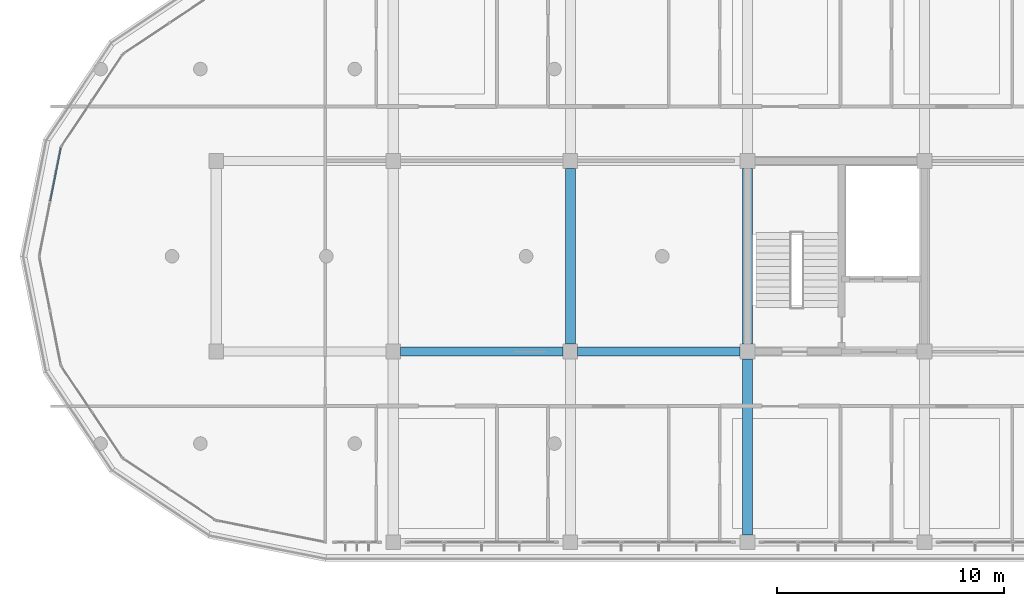
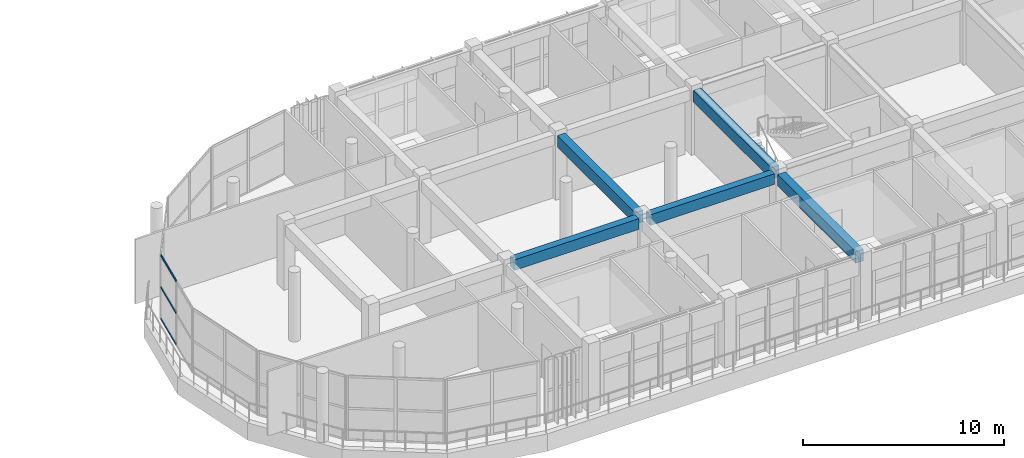
# One storey, part 7 of 63: 5 beams, 3 members, 1 element without a shape of its own.
"""IFC4 building model written with IfcOpenShell, lengths in metres."""

from ifc_helpers import new_model, si_unit, direction, frame, origin, origin_2d, place, context, subcontext, project, spatial, rectangle, hollow_rectangle, extrude, material, layer, layer_set, material_profile, profile_set, type_object, element, aggregate, save


model = new_model("IFC4")

# Units and contexts
model_context = context("Model", 3, precision=1e-05, world=origin(), true_north=direction((0.0, 1.0)))
body_context = subcontext(model_context, "Body", "Model", "MODEL_VIEW")
ifc_project = project(units=[si_unit("LENGTHUNIT", "METRE"), si_unit("AREAUNIT", "SQUARE_METRE"), si_unit("VOLUMEUNIT", "CUBIC_METRE"), si_unit("PLANEANGLEUNIT", "RADIAN"), si_unit("MASSUNIT", "GRAM", prefix="KILO")], contexts=[model_context])

# Site, building, storey
site_placement = place(None, origin())
site = spatial("IfcSite", under=ifc_project, at=site_placement, CompositionType="ELEMENT")
building_placement = place(site_placement, origin())
building = spatial("IfcBuilding", under=site, at=building_placement, Name="Zizhar Promenade General Hospital", CompositionType="ELEMENT")
storey_placement = place(building_placement, frame((0.0, 0.0, 18.0)))
storey = spatial("IfcBuildingStorey", under=building, at=storey_placement, Name="L04", CompositionType="ELEMENT", Elevation=18.0)

# Beams
ifc_material_1 = material(Name="Concrete C35/45", Category="concrete")
ifc_material_profile_1 = material_profile(ifc_material_1, rectangle(XDim=0.39990234375, YDim=0.64990234375, at=origin_2d()))
ifc_profile_set_1 = profile_set([ifc_material_profile_1], Name="Concrete C35/45")
beam_type_1 = type_object("IfcBeamType", Name="BM-RC-400x650", PredefinedType="BEAM", material=ifc_profile_set_1)
for number, where, z_axis, x_axis, name in (
    (1, (31.52490234375, 8.39990234375, 3.5849609375), (1.0, 0.0, 0.0), (0.0, 1.0, 0.0), "Grid Beam X L04 (4-1)"),
    (2, (39.324951171875, 8.39990234375, 3.5849609375), (1.0, 0.0, 0.0), (0.0, 1.0, 0.0), "Grid Beam X L04 (5-1)"),
):
    element("IfcBeam", number, at=place(storey_placement, frame(where, z_axis=z_axis, x_axis=x_axis)), inside=storey, type_object=beam_type_1, Name=name, PredefinedType="BEAM", context=body_context, shape_type="SweptSolid", body=[
        extrude(rectangle(XDim=0.39990234375, YDim=0.64990234375, at=origin_2d()), origin(), (0.0, 0.0, 1.0), 7.150146484375),
    ])
ifc_material_2 = material(Name="Concrete C35/45", Category="concrete")
ifc_material_profile_2 = material_profile(ifc_material_2, rectangle(XDim=0.449951171875, YDim=0.699951171875, at=origin_2d()))
ifc_profile_set_2 = profile_set([ifc_material_profile_2], Name="Concrete C35/45")
beam_type_2 = type_object("IfcBeamType", Name="BM-RC-450x700", PredefinedType="BEAM", material=ifc_profile_set_2)
for number, where, z_axis, x_axis, name in (
    (3, (39.0, 8.72509765625, 3.56005859375), (0.0, 1.0, 0.0), (-1.0, 0.0, 0.0), "Grid Beam Y L04 (5-1)"),
    (4, (46.800048828125, 0.324951171875, 3.56005859375), (0.0, 1.0, 0.0), (-1.0, 0.0, 0.0), "Grid Beam Y L04 (6-0)"),
    (5, (46.800048828125, 8.72509765625, 3.56005859375), (0.0, 1.0, 0.0), (-1.0, 0.0, 0.0), "Grid Beam Y L04 (6-1)"),
):
    element("IfcBeam", number, at=place(storey_placement, frame(where, z_axis=z_axis, x_axis=x_axis)), inside=storey, type_object=beam_type_2, Name=name, PredefinedType="BEAM", context=body_context, shape_type="SweptSolid", body=[
        extrude(rectangle(XDim=0.449951171875, YDim=0.699951171875, at=origin_2d()), origin(), (0.0, 0.0, 1.0), 7.75),
    ])

# Curtain wall, members
ifc_material_3 = material(Name="Anodised aluminium 6063-T6 and low-E glass", Category="aluminium")
ifc_layer = layer(ifc_material_3, 0.159912109375)
ifc_layer_set = layer_set([ifc_layer], Name="Anodised aluminium 6063-T6 and low-E glass")
curtain_wall_type = type_object("IfcCurtainWallType", Name="CW-WARD-ARC", PredefinedType="NOTDEFINED", material=ifc_layer_set)
curtain_wall_placement = place(storey_placement, origin())
curtain_wall = element("IfcCurtainWall", 6, at=curtain_wall_placement, inside=storey, type_object=curtain_wall_type, Name="Ward Semicircular End Glazing L04-13", PredefinedType="NOTDEFINED")
ifc_material_4 = material(Name="Anodised aluminium 6063-T6", Category="aluminium")
ifc_material_profile_3 = material_profile(ifc_material_4, hollow_rectangle(XDim=0.06005859375, YDim=0.1201171875, WallThickness=0.00390625, at=origin_2d()))
ifc_profile_set_3 = profile_set([ifc_material_profile_3], Name="Anodised aluminium 6063-T6")
member_type = type_object("IfcMemberType", Name="CWT-ALU-120x60", PredefinedType="USERDEFINED", material=ifc_profile_set_3)
member_1_placement = place(storey_placement, frame((16.08544921875, 15.040283203125, 0.030029296875), z_axis=(0.195045472693, 0.980794200422, 0.0), x_axis=(-0.980794200422, 0.195045472693, 0.0)))
member_1 = element("IfcMember", 7, at=member_1_placement, type_object=member_type, Name="CW-12 transom 2.1", ObjectType="TRANSOM", PredefinedType="USERDEFINED", context=body_context, shape_type="SweptSolid", body=[
    extrude(hollow_rectangle(XDim=0.06005859375, YDim=0.1201171875, WallThickness=0.00390625, at=origin_2d()), origin(), (0.0, 0.0, 1.0), 2.3681640625),
])
member_2_placement = place(storey_placement, frame((16.08544921875, 15.040283203125, 1.949951171875), z_axis=(0.195045472693, 0.980794200422, 0.0), x_axis=(-0.980794200422, 0.195045472693, 0.0)))
member_2 = element("IfcMember", 8, at=member_2_placement, type_object=member_type, Name="CW-12 transom 2.2", ObjectType="TRANSOM", PredefinedType="USERDEFINED", context=body_context, shape_type="SweptSolid", body=[
    extrude(hollow_rectangle(XDim=0.06005859375, YDim=0.1201171875, WallThickness=0.00390625, at=origin_2d()), origin(), (0.0, 0.0, 1.0), 2.3681640625),
])
member_3_placement = place(storey_placement, frame((16.08544921875, 15.040283203125, 3.8701171875), z_axis=(0.195045472693, 0.980794200422, 0.0), x_axis=(-0.980794200422, 0.195045472693, 0.0)))
member_3 = element("IfcMember", 9, at=member_3_placement, type_object=member_type, Name="CW-12 transom 2.3", ObjectType="TRANSOM", PredefinedType="USERDEFINED", context=body_context, shape_type="SweptSolid", body=[
    extrude(hollow_rectangle(XDim=0.06005859375, YDim=0.1201171875, WallThickness=0.00390625, at=origin_2d()), origin(), (0.0, 0.0, 1.0), 2.3681640625),
])
aggregate(curtain_wall, [member_1, member_2, member_3])

save(model, "model.ifc")
